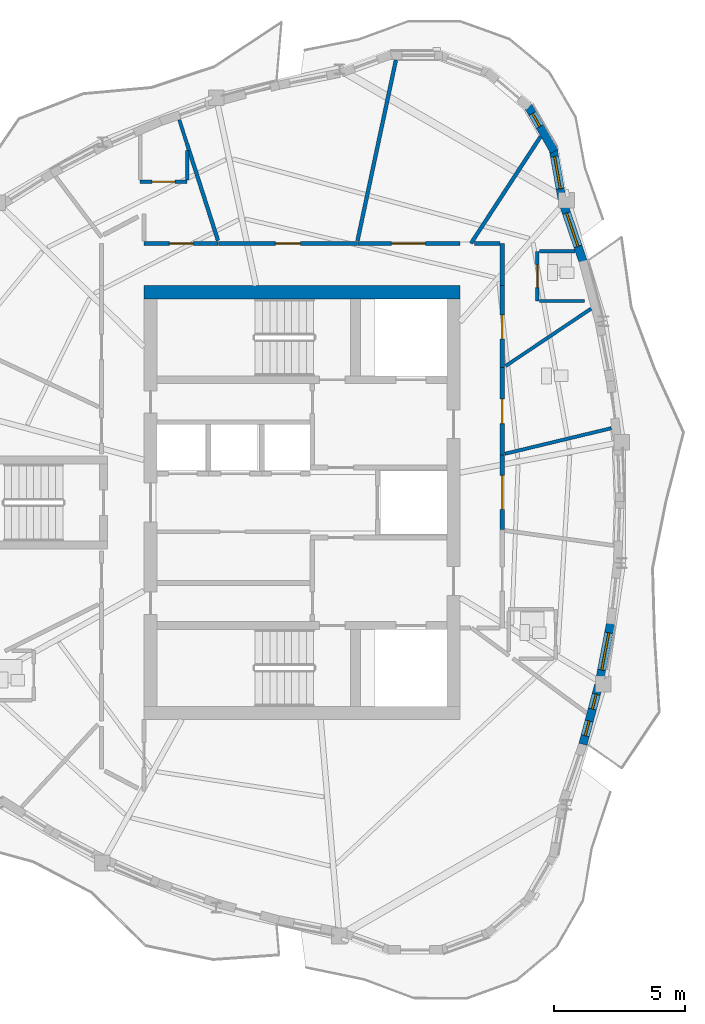
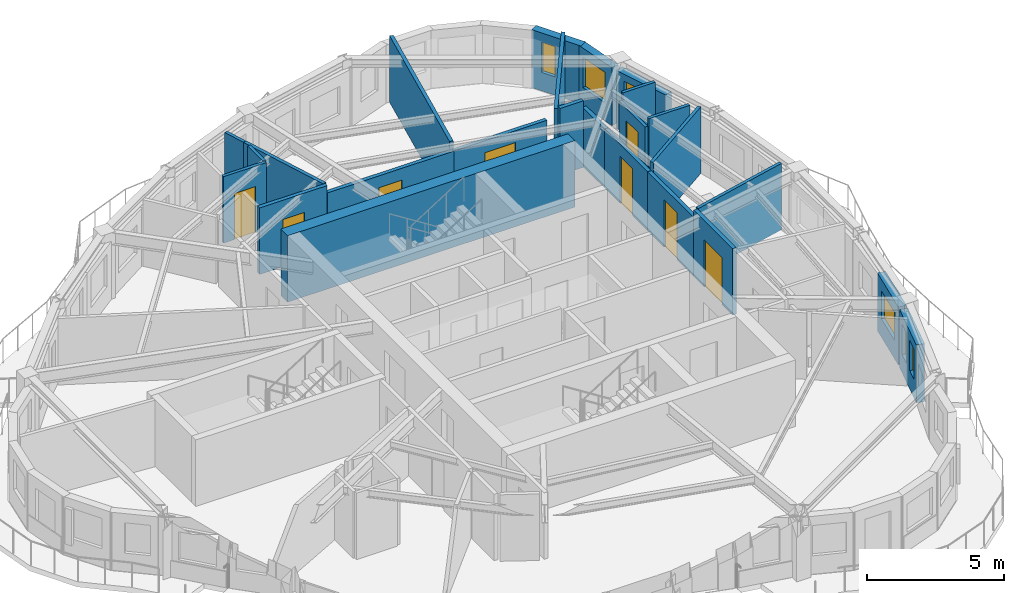
# One storey, part 8 of 13: 25 walls, 8 doors, 6 windows, 14 openings.
"""IFC4 building model written with IfcOpenShell, lengths in metres."""

from ifc_helpers import new_model, si_unit, direction, frame, frame_2d, origin, place, context, subcontext, project, spatial, rectangle, extrude, source, transform, mapped, material, layer, layer_set, type_object, element, fill, save


model = new_model("IFC4")

# Units and contexts
model_context = context("Model", 3, precision=1e-05, world=origin(), true_north=direction((0.0, 1.0)))
body_context = subcontext(model_context, "Body", "Model", "MODEL_VIEW")
ifc_project = project(units=[si_unit("LENGTHUNIT", "METRE"), si_unit("AREAUNIT", "SQUARE_METRE"), si_unit("VOLUMEUNIT", "CUBIC_METRE"), si_unit("PLANEANGLEUNIT", "RADIAN"), si_unit("MASSUNIT", "GRAM", prefix="KILO")], contexts=[model_context])

# Site, building, storey
site_placement = place(None, origin())
site = spatial("IfcSite", under=ifc_project, at=site_placement, CompositionType="ELEMENT")
building_placement = place(site_placement, origin())
building = spatial("IfcBuilding", under=site, at=building_placement, Name="Qafzar Sky-Pleat Residences", CompositionType="ELEMENT")
storey_placement = place(building_placement, frame((0.0, 0.0, 195.60009765625)))
storey = spatial("IfcBuildingStorey", under=building, at=storey_placement, Name="L58", CompositionType="ELEMENT", Elevation=195.60009765625)

# Wall, opening, door
ifc_material_1 = material(Name="Acoustic gypsum plasterboard partition", Category="gypsum")
ifc_layer_1 = layer(ifc_material_1, 0.159912109375)
ifc_layer_set_1 = layer_set([ifc_layer_1], Name="Acoustic gypsum plasterboard partition")
wall_type_1 = type_object("IfcWallType", Name="PART-COR-160", PredefinedType="PARTITIONING", material=ifc_layer_set_1)
wall_1_placement = place(storey_placement, frame((27.156005859375, 35.919921875, 0.0), z_axis=(0.0, 0.0, 1.0), x_axis=(1.0, 0.0, 0.0)))
wall_1 = element("IfcWall", 1, at=wall_1_placement, inside=storey, type_object=wall_type_1, Name="L58 Partition Wall PART-L58-PW-001", PredefinedType="PARTITIONING", context=body_context, shape_type="SweptSolid", body=[
    extrude(rectangle(XDim=5.31591796875, YDim=0.159912109375, at=frame_2d((2.657958984375, 0.0))), origin(), (0.0, 0.0, 1.0), 2.6279296875),
])
opening_1_placement = place(wall_1_placement, frame((2.177978515625, 0.0, 0.0)))
opening_1 = element("IfcOpeningElement", 2, at=opening_1_placement, cuts=wall_1, Name="Opening ID-06", PredefinedType="OPENING", context=body_context, shape_type="SweptSolid", body=[
    extrude(rectangle(XDim=0.9599609375, YDim=2.10009765625, at=frame_2d((0.47998046875, 1.050048828125))), frame((0.0, 0.08984375, 0.0), z_axis=(0.0, -1.0, 0.0), x_axis=(1.0, 0.0, 0.0)), (0.0, 0.0, 1.0), 0.179931640625),
])
ifc_material_2 = material(Name="Timber-faced fire door", Category="wood")
door_type_1 = type_object("IfcDoorType", Name="DR-STD-960", OperationType="NOTDEFINED", PredefinedType="DOOR", material=ifc_material_2)
shared_shape_1 = source(origin(), body_context, "Body", "SweptSolid", [
    extrude(rectangle(XDim=0.9599609375, YDim=2.10009765625, at=frame_2d((0.47998046875, 1.050048828125))), frame((0.0, 0.02490234375, 0.0), z_axis=(0.0, -1.0, 0.0), x_axis=(1.0, 0.0, 0.0)), (0.0, 0.0, 1.0), 0.050048828125),
])
door_1_placement = place(opening_1_placement, origin())
door_1 = element("IfcDoor", 3, at=door_1_placement, inside=storey, type_object=door_type_1, Name="L58 Music Practice Room Door", OperationType="SINGLE_SWING_RIGHT", OverallHeight=2.10009765625, OverallWidth=0.9599609375, PredefinedType="DOOR", context=body_context, shape_type="MappedRepresentation", body=[
    mapped(shared_shape_1, transform((0.0, 0.0, 0.0), x_axis=(1.0, 0.0, 0.0), y_axis=(0.0, 1.0, 0.0), z_axis=(0.0, 0.0, 1.0), scale=1.0)),
])
fill(opening_1, door_1)

wall_2_placement = place(storey_placement, frame((32.487060546875, 35.919921875, 0.0), z_axis=(0.0, 0.0, 1.0), x_axis=(1.0, 0.0, 0.0)))
wall_2 = element("IfcWall", 4, at=wall_2_placement, inside=storey, type_object=wall_type_1, Name="L58 Partition Wall PART-L58-PW-004", PredefinedType="PARTITIONING", context=body_context, shape_type="SweptSolid", body=[
    extrude(rectangle(XDim=3.912841796875, YDim=0.159912109375, at=frame_2d((1.95654296875, 0.0))), origin(), (0.0, 0.0, 1.0), 2.6279296875),
])
opening_2_placement = place(wall_2_placement, frame((1.291015625, 0.0, 0.0)))
opening_2 = element("IfcOpeningElement", 5, at=opening_2_placement, cuts=wall_2, Name="Opening ID-05", PredefinedType="OPENING", context=body_context, shape_type="SweptSolid", body=[
    extrude(rectangle(XDim=1.300048828125, YDim=2.10009765625, at=frame_2d((0.64990234375, 1.050048828125))), frame((0.0, 0.08984375, 0.0), z_axis=(0.0, -1.0, 0.0), x_axis=(1.0, 0.0, 0.0)), (0.0, 0.0, 1.0), 0.179931640625),
])
door_type_2 = type_object("IfcDoorType", Name="DR-LNG-1300", OperationType="DOUBLE_DOOR_SINGLE_SWING", PredefinedType="DOOR", material=ifc_material_2)
shared_shape_2 = source(origin(), body_context, "Body", "SweptSolid", [
    extrude(rectangle(XDim=1.300048828125, YDim=2.10009765625, at=frame_2d((0.64990234375, 1.050048828125))), frame((0.0, 0.02490234375, 0.0), z_axis=(0.0, -1.0, 0.0), x_axis=(1.0, 0.0, 0.0)), (0.0, 0.0, 1.0), 0.050048828125),
])
door_2_placement = place(opening_2_placement, origin())
door_2 = element("IfcDoor", 6, at=door_2_placement, inside=storey, type_object=door_type_2, Name="L58 Co-Living Lounge Door", OperationType="DOUBLE_DOOR_SINGLE_SWING", OverallHeight=2.10009765625, OverallWidth=1.300048828125, PredefinedType="DOOR", context=body_context, shape_type="MappedRepresentation", body=[
    mapped(shared_shape_2, transform((0.0, 0.0, 0.0), x_axis=(1.0, 0.0, 0.0), y_axis=(0.0, 1.0, 0.0), z_axis=(0.0, 0.0, 1.0), scale=1.0)),
])
fill(opening_2, door_2)

wall_3_placement = place(storey_placement, frame((38.02001953125, 31.160888671875, 0.0), z_axis=(0.0, 0.0, 1.0), x_axis=(0.0, -1.0, 0.0)))
wall_3 = element("IfcWall", 7, at=wall_3_placement, inside=storey, type_object=wall_type_1, Name="L58 Partition Wall PART-L58-PW-006", PredefinedType="PARTITIONING", context=body_context, shape_type="SweptSolid", body=[
    extrude(rectangle(XDim=3.3330078125, YDim=0.159912109375, at=frame_2d((1.66650390625, 0.0))), origin(), (0.0, 0.0, 1.0), 2.6279296875),
])
opening_3_placement = place(wall_3_placement, frame((1.193115234375, 0.0, 0.0)))
opening_3 = element("IfcOpeningElement", 8, at=opening_3_placement, cuts=wall_3, Name="Opening ID-08", PredefinedType="OPENING", context=body_context, shape_type="SweptSolid", body=[
    extrude(rectangle(XDim=0.949951171875, YDim=2.10009765625, at=frame_2d((0.47509765625, 1.050048828125))), frame((0.0, 0.08984375, 0.0), z_axis=(0.0, -1.0, 0.0), x_axis=(1.0, 0.0, 0.0)), (0.0, 0.0, 1.0), 0.179931640625),
])
door_type_3 = type_object("IfcDoorType", Name="DR-AWC-950", OperationType="NOTDEFINED", PredefinedType="DOOR", material=ifc_material_2)
shared_shape_3 = source(origin(), body_context, "Body", "SweptSolid", [
    extrude(rectangle(XDim=0.949951171875, YDim=2.10009765625, at=frame_2d((0.47509765625, 1.050048828125))), frame((0.0, 0.02490234375, 0.0), z_axis=(0.0, -1.0, 0.0), x_axis=(1.0, 0.0, 0.0)), (0.0, 0.0, 1.0), 0.050048828125),
])
door_3_placement = place(opening_3_placement, origin())
door_3 = element("IfcDoor", 9, at=door_3_placement, inside=storey, type_object=door_type_3, Name="L58 Accessible Shared Washroom Door", OperationType="SINGLE_SWING_RIGHT", OverallHeight=2.10009765625, OverallWidth=0.949951171875, PredefinedType="DOOR", context=body_context, shape_type="MappedRepresentation", body=[
    mapped(shared_shape_3, transform((0.0, 0.0, 0.0), x_axis=(1.0, 0.0, 0.0), y_axis=(0.0, 1.0, 0.0), z_axis=(0.0, 0.0, 1.0), scale=1.0)),
])
fill(opening_3, door_3)

wall_4_placement = place(storey_placement, frame((38.02001953125, 34.300048828125, 0.0), z_axis=(0.0, 0.0, 1.0), x_axis=(0.0, -1.0, 0.0)))
wall_4 = element("IfcWall", 10, at=wall_4_placement, inside=storey, type_object=wall_type_1, Name="L58 Partition Wall PART-L58-PW-007", PredefinedType="PARTITIONING", context=body_context, shape_type="SweptSolid", body=[
    extrude(rectangle(XDim=3.1240234375, YDim=0.159912109375, at=frame_2d((1.56201171875, 0.0))), origin(), (0.0, 0.0, 1.0), 2.6279296875),
])
opening_4_placement = place(wall_4_placement, frame((1.118408203125, 0.0, 0.0)))
opening_4 = element("IfcOpeningElement", 11, at=opening_4_placement, cuts=wall_4, Name="Opening ID-04", PredefinedType="OPENING", context=body_context, shape_type="SweptSolid", body=[
    extrude(rectangle(XDim=0.919921875, YDim=2.10009765625, at=frame_2d((0.4599609375, 1.050048828125))), frame((0.0, 0.08984375, 0.0), z_axis=(0.0, -1.0, 0.0), x_axis=(1.0, 0.0, 0.0)), (0.0, 0.0, 1.0), 0.179931640625),
])
door_type_4 = type_object("IfcDoorType", Name="DR-BED-920", OperationType="NOTDEFINED", PredefinedType="DOOR", material=ifc_material_2)
shared_shape_4 = source(origin(), body_context, "Body", "SweptSolid", [
    extrude(rectangle(XDim=0.919921875, YDim=2.10009765625, at=frame_2d((0.4599609375, 1.050048828125))), frame((0.0, 0.02490234375, 0.0), z_axis=(0.0, -1.0, 0.0), x_axis=(1.0, 0.0, 0.0)), (0.0, 0.0, 1.0), 0.050048828125),
])
door_4_placement = place(opening_4_placement, origin())
door_4 = element("IfcDoor", 12, at=door_4_placement, inside=storey, type_object=door_type_4, Name="L58 Co-Living Bedroom 3 Door", OperationType="SINGLE_SWING_LEFT", OverallHeight=2.10009765625, OverallWidth=0.919921875, PredefinedType="DOOR", context=body_context, shape_type="MappedRepresentation", body=[
    mapped(shared_shape_4, transform((0.0, 0.0, 0.0), x_axis=(1.0, 0.0, 0.0), y_axis=(0.0, 1.0, 0.0), z_axis=(0.0, 0.0, 1.0), scale=1.0)),
])
fill(opening_4, door_4)

wall_5_placement = place(storey_placement, frame((24.300048828125, 35.919921875, 0.0), z_axis=(0.0, 0.0, 1.0), x_axis=(1.0, 0.0, 0.0)))
wall_5 = element("IfcWall", 13, at=wall_5_placement, inside=storey, type_object=wall_type_1, Name="L58 Partition Wall PART-L58-PW-008", PredefinedType="PARTITIONING", context=body_context, shape_type="SweptSolid", body=[
    extrude(rectangle(XDim=2.841064453125, YDim=0.159912109375, at=frame_2d((1.42041015625, 0.0))), origin(), (0.0, 0.0, 1.0), 2.9599609375),
])
opening_5_placement = place(wall_5_placement, frame((0.97607421875, 0.0, 0.0)))
opening_5 = element("IfcOpeningElement", 14, at=opening_5_placement, cuts=wall_5, Name="Opening ID-04", PredefinedType="OPENING", context=body_context, shape_type="SweptSolid", body=[
    extrude(rectangle(XDim=0.919921875, YDim=2.10009765625, at=frame_2d((0.4599609375, 1.050048828125))), frame((0.0, 0.08984375, 0.0), z_axis=(0.0, -1.0, 0.0), x_axis=(1.0, 0.0, 0.0)), (0.0, 0.0, 1.0), 0.179931640625),
])
door_5_placement = place(opening_5_placement, origin())
door_5 = element("IfcDoor", 15, at=door_5_placement, inside=storey, type_object=door_type_4, Name="L58 Co-Living Bedroom 4 Door", OperationType="SINGLE_SWING_RIGHT", OverallHeight=2.10009765625, OverallWidth=0.919921875, PredefinedType="DOOR", context=body_context, shape_type="MappedRepresentation", body=[
    mapped(shared_shape_4, transform((0.0, 0.0, 0.0), x_axis=(1.0, 0.0, 0.0), y_axis=(0.0, 1.0, 0.0), z_axis=(0.0, 0.0, 1.0), scale=1.0)),
])
fill(opening_5, door_5)

wall_6_placement = place(storey_placement, frame((38.02001953125, 27.81298828125, 0.0), z_axis=(0.0, 0.0, 1.0), x_axis=(0.0, -1.0, 0.0)))
wall_6 = element("IfcWall", 16, at=wall_6_placement, inside=storey, type_object=wall_type_1, Name="L58 Partition Wall PART-L58-PW-009", PredefinedType="PARTITIONING", context=body_context, shape_type="SweptSolid", body=[
    extrude(rectangle(XDim=2.8388671875, YDim=0.159912109375, at=frame_2d((1.41943359375, 0.0))), origin(), (0.0, 0.0, 1.0), 2.9599609375),
])
opening_6_placement = place(wall_6_placement, frame((0.77001953125, 0.0, 0.0)))
opening_6 = element("IfcOpeningElement", 17, at=opening_6_placement, cuts=wall_6, Name="Opening ID-05", PredefinedType="OPENING", context=body_context, shape_type="SweptSolid", body=[
    extrude(rectangle(XDim=1.300048828125, YDim=2.10009765625, at=frame_2d((0.64990234375, 1.050048828125))), frame((0.0, 0.08984375, 0.0), z_axis=(0.0, -1.0, 0.0), x_axis=(1.0, 0.0, 0.0)), (0.0, 0.0, 1.0), 0.179931640625),
])
door_6_placement = place(opening_6_placement, origin())
door_6 = element("IfcDoor", 18, at=door_6_placement, inside=storey, type_object=door_type_2, Name="L58 Communal Kitchen Door", OperationType="DOUBLE_DOOR_SINGLE_SWING", OverallHeight=2.10009765625, OverallWidth=1.300048828125, PredefinedType="DOOR", context=body_context, shape_type="MappedRepresentation", body=[
    mapped(shared_shape_2, transform((0.0, 0.0, 0.0), x_axis=(1.0, 0.0, 0.0), y_axis=(0.0, 1.0, 0.0), z_axis=(0.0, 0.0, 1.0), scale=1.0)),
])
fill(opening_6, door_6)

# Walls
wall_7_placement = place(storey_placement, frame((38.02001953125, 34.31494140625, 0.0), z_axis=(0.0, 0.0, 1.0), x_axis=(0.0, 1.0, 0.0)))
element("IfcWall", 19, at=wall_7_placement, inside=storey, type_object=wall_type_1, Name="L58 Partition Wall PART-L58-PW-039", PredefinedType="PARTITIONING", context=body_context, shape_type="SweptSolid", body=[
    extrude(rectangle(XDim=1.60498046875, YDim=0.159912109375, at=frame_2d((0.802490234375, 0.0))), origin(), (0.0, 0.0, 1.0), 2.6279296875),
])
wall_8_placement = place(storey_placement, frame((36.94873046875, 35.919921875, 0.0), z_axis=(0.0, 0.0, 1.0), x_axis=(1.0, 0.0, 0.0)))
element("IfcWall", 20, at=wall_8_placement, inside=storey, type_object=wall_type_1, Name="L58 Partition Wall PART-L58-PW-045", PredefinedType="PARTITIONING", context=body_context, shape_type="SweptSolid", body=[
    extrude(rectangle(XDim=0.983154296875, YDim=0.159912109375, at=frame_2d((0.49169921875, 0.0))), origin(), (0.0, 0.0, 1.0), 2.9599609375),
])
ifc_layer_2 = layer(ifc_material_1, 0.14501953125)
ifc_layer_set_2 = layer_set([ifc_layer_2], Name="Acoustic gypsum plasterboard partition")
wall_type_2 = type_object("IfcWallType", Name="PART-UNIT-145", PredefinedType="PARTITIONING", material=ifc_layer_set_2)
wall_9_placement = place(storey_placement, frame((32.477783203125, 36.02294921875, 0.0), z_axis=(0.0, 0.0, 1.0), x_axis=(0.207795571792, 0.978172275391, 0.0)))
element("IfcWall", 21, at=wall_9_placement, inside=storey, type_object=wall_type_2, Name="L58 Partition Wall PART-L58-PW-018", PredefinedType="PARTITIONING", context=body_context, shape_type="SweptSolid", body=[
    extrude(rectangle(XDim=7.070556640625, YDim=0.14501953125, at=frame_2d((3.53515625, 0.0))), origin(), (0.0, 0.0, 1.0), 2.9599609375),
])
wall_10_placement = place(storey_placement, frame((36.820068359375, 35.919921875, 0.0), z_axis=(0.0, 0.0, 1.0), x_axis=(0.546222005159, 0.83764044857, 0.0)))
element("IfcWall", 22, at=wall_10_placement, inside=storey, type_object=wall_type_2, Name="L58 Partition Wall PART-L58-PW-020", PredefinedType="PARTITIONING", context=body_context, shape_type="SweptSolid", body=[
    extrude(rectangle(XDim=4.880859375, YDim=0.14501953125, at=frame_2d((2.4404296875, 0.0))), origin(), (0.0, 0.0, 1.0), 2.9599609375),
])
wall_11_placement = place(storey_placement, frame((25.93896484375, 39.76708984375, 0.0), z_axis=(0.0, 0.0, 1.0), x_axis=(0.305195538028, -0.952289705693, 0.0)))
element("IfcWall", 23, at=wall_11_placement, inside=storey, type_object=wall_type_2, Name="L58 Partition Wall PART-L58-PW-026", PredefinedType="PARTITIONING", context=body_context, shape_type="SweptSolid", body=[
    extrude(rectangle(XDim=3.924560546875, YDim=0.14501953125, at=frame_2d((1.96240234375, 0.0))), origin(), (0.0, 0.0, 1.0), 2.9599609375),
])

# Wall, opening, door
ifc_material_3 = material(Name="Moisture-resistant gypsum partition", Category="gypsum")
ifc_layer_3 = layer(ifc_material_3, 0.1298828125)
ifc_layer_set_3 = layer_set([ifc_layer_3], Name="Moisture-resistant gypsum partition")
wall_type_3 = type_object("IfcWallType", Name="PART-WET-130", PredefinedType="PARTITIONING", material=ifc_layer_set_3)
wall_12_placement = place(storey_placement, frame((39.364013671875, 35.616943359375, 0.0), z_axis=(0.0, 0.0, 1.0), x_axis=(0.0, -1.0, 0.0)))
wall_12 = element("IfcWall", 24, at=wall_12_placement, inside=storey, type_object=wall_type_3, Name="L58 Partition Wall PART-L58-PW-014", PredefinedType="PARTITIONING", context=body_context, shape_type="SweptSolid", body=[
    extrude(rectangle(XDim=1.89990234375, YDim=0.1298828125, at=frame_2d((0.949951171875, 0.0))), origin(), (0.0, 0.0, 1.0), 2.597900390625),
])
opening_7_placement = place(wall_12_placement, frame((0.510009765625, 0.0, 0.0)))
opening_7 = element("IfcOpeningElement", 25, at=opening_7_placement, cuts=wall_12, Name="Opening ID-07", PredefinedType="OPENING", context=body_context, shape_type="SweptSolid", body=[
    extrude(rectangle(XDim=0.8798828125, YDim=2.050048828125, at=frame_2d((0.43994140625, 1.02490234375))), frame((0.0, 0.074951171875, 0.0), z_axis=(0.0, -1.0, 0.0), x_axis=(1.0, 0.0, 0.0)), (0.0, 0.0, 1.0), 0.14990234375),
])
door_type_5 = type_object("IfcDoorType", Name="DR-WET-880", OperationType="NOTDEFINED", PredefinedType="DOOR", material=ifc_material_2)
shared_shape_5 = source(origin(), body_context, "Body", "SweptSolid", [
    extrude(rectangle(XDim=0.8798828125, YDim=2.050048828125, at=frame_2d((0.43994140625, 1.02490234375))), frame((0.0, 0.02490234375, 0.0), z_axis=(0.0, -1.0, 0.0), x_axis=(1.0, 0.0, 0.0)), (0.0, 0.0, 1.0), 0.050048828125),
])
door_7_placement = place(opening_7_placement, origin())
door_7 = element("IfcDoor", 26, at=door_7_placement, inside=storey, type_object=door_type_5, Name="L58 En-suite Bathroom 3 Door", OperationType="SINGLE_SWING_LEFT", OverallHeight=2.050048828125, OverallWidth=0.8798828125, PredefinedType="DOOR", context=body_context, shape_type="MappedRepresentation", body=[
    mapped(shared_shape_5, transform((0.0, 0.0, 0.0), x_axis=(1.0, 0.0, 0.0), y_axis=(0.0, 1.0, 0.0), z_axis=(0.0, 0.0, 1.0), scale=1.0)),
])
fill(opening_7, door_7)

wall_13_placement = place(storey_placement, frame((24.154052734375, 38.281982421875, 0.0), z_axis=(0.0, 0.0, 1.0), x_axis=(1.0, 0.0, 0.0)))
wall_13 = element("IfcWall", 27, at=wall_13_placement, inside=storey, type_object=wall_type_3, Name="L58 Partition Wall PART-L58-PW-016", PredefinedType="PARTITIONING", context=body_context, shape_type="SweptSolid", body=[
    extrude(rectangle(XDim=1.800048828125, YDim=0.1298828125, at=frame_2d((0.89990234375, 0.0))), origin(), (0.0, 0.0, 1.0), 2.9599609375),
])
opening_8_placement = place(wall_13_placement, frame((0.4599609375, 0.0, 0.0)))
opening_8 = element("IfcOpeningElement", 28, at=opening_8_placement, cuts=wall_13, Name="Opening ID-07", PredefinedType="OPENING", context=body_context, shape_type="SweptSolid", body=[
    extrude(rectangle(XDim=0.8798828125, YDim=2.050048828125, at=frame_2d((0.43994140625, 1.02490234375))), frame((0.0, 0.074951171875, 0.0), z_axis=(0.0, -1.0, 0.0), x_axis=(1.0, 0.0, 0.0)), (0.0, 0.0, 1.0), 0.14990234375),
])
door_8_placement = place(opening_8_placement, origin())
door_8 = element("IfcDoor", 29, at=door_8_placement, inside=storey, type_object=door_type_5, Name="L58 En-suite Bathroom 4 Door", OperationType="SINGLE_SWING_LEFT", OverallHeight=2.050048828125, OverallWidth=0.8798828125, PredefinedType="DOOR", context=body_context, shape_type="MappedRepresentation", body=[
    mapped(shared_shape_5, transform((0.0, 0.0, 0.0), x_axis=(1.0, 0.0, 0.0), y_axis=(0.0, 1.0, 0.0), z_axis=(0.0, 0.0, 1.0), scale=1.0)),
])
fill(opening_8, door_8)

# Walls
wall_14_placement = place(storey_placement, frame((38.123046875, 27.867919921875, 0.0), z_axis=(0.0, 0.0, 1.0), x_axis=(0.972302502293, 0.233726002051, 0.0)))
element("IfcWall", 30, at=wall_14_placement, inside=storey, type_object=wall_type_3, Name="L58 Partition Wall PART-L58-PW-023", PredefinedType="PARTITIONING", context=body_context, shape_type="SweptSolid", body=[
    extrude(rectangle(XDim=4.1845703125, YDim=0.1298828125, at=frame_2d((2.09228515625, 0.0))), origin(), (0.0, 0.0, 1.0), 2.9599609375),
])
wall_15_placement = place(storey_placement, frame((38.142822265625, 31.225341796875, 0.0), z_axis=(0.0, 0.0, 1.0), x_axis=(0.830560844451, 0.556927898084, 0.0)))
element("IfcWall", 31, at=wall_15_placement, inside=storey, type_object=wall_type_3, Name="L58 Partition Wall PART-L58-PW-025", PredefinedType="PARTITIONING", context=body_context, shape_type="SweptSolid", body=[
    extrude(rectangle(XDim=3.94189453125, YDim=0.1298828125, at=frame_2d((1.970947265625, 0.0))), origin(), (0.0, 0.0, 1.0), 2.9599609375),
])
wall_16_placement = place(storey_placement, frame((39.43701171875, 33.717041015625, 0.0), z_axis=(0.0, 0.0, 1.0), x_axis=(1.0, 0.0, 0.0)))
element("IfcWall", 32, at=wall_16_placement, inside=storey, type_object=wall_type_3, Name="L58 Partition Wall PART-L58-PW-033", PredefinedType="PARTITIONING", context=body_context, shape_type="SweptSolid", body=[
    extrude(rectangle(XDim=1.72705078125, YDim=0.1298828125, at=frame_2d((0.863525390625, 0.0))), origin(), (0.0, 0.0, 1.0), 2.9599609375),
])
wall_17_placement = place(storey_placement, frame((39.43701171875, 35.616943359375, 0.0), z_axis=(0.0, 0.0, 1.0), x_axis=(1.0, 0.0, 0.0)))
element("IfcWall", 33, at=wall_17_placement, inside=storey, type_object=wall_type_3, Name="L58 Partition Wall PART-L58-PW-043", PredefinedType="PARTITIONING", context=body_context, shape_type="SweptSolid", body=[
    extrude(rectangle(XDim=1.36083984375, YDim=0.1298828125, at=frame_2d((0.680419921875, 0.0))), origin(), (0.0, 0.0, 1.0), 2.9599609375),
])
wall_18_placement = place(storey_placement, frame((25.9541015625, 38.35498046875, 0.0), z_axis=(0.0, 0.0, 1.0), x_axis=(0.0, 1.0, 0.0)))
element("IfcWall", 34, at=wall_18_placement, inside=storey, type_object=wall_type_3, Name="L58 Partition Wall PART-L58-PW-044", PredefinedType="PARTITIONING", context=body_context, shape_type="SweptSolid", body=[
    extrude(rectangle(XDim=1.125, YDim=0.1298828125, at=frame_2d((0.5625, 0.0))), origin(), (0.0, 0.0, 1.0), 2.9599609375),
])
wall_19_placement = place(storey_placement, frame((25.655029296875, 40.65234375, 0.0), z_axis=(0.0, 0.0, 1.0), x_axis=(0.305317972149, -0.952250458589, 0.0)))
element("IfcWall", 35, at=wall_19_placement, inside=storey, type_object=wall_type_3, Name="L58 Partition Wall PART-L58-PW-050", PredefinedType="PARTITIONING", context=body_context, shape_type="SweptSolid", body=[
    extrude(rectangle(XDim=0.914794921875, YDim=0.1298828125, at=frame_2d((0.45751953125, 0.0))), origin(), (0.0, 0.0, 1.0), 2.9599609375),
])

# Wall, openings, windows
ifc_material_4 = material(Name="Precast concrete C40/50 with honed Riyadh limestone", Category="concrete")
ifc_layer_4 = layer(ifc_material_4, 0.320068359375)
ifc_layer_set_4 = layer_set([ifc_layer_4], Name="Precast concrete C40/50 with honed Riyadh limestone")
wall_type_4 = type_object("IfcWallType", Name="WALL-EXT-320", PredefinedType="SOLIDWALL", material=ifc_layer_set_4)
wall_20_placement = place(storey_placement, frame((41.10693359375, 16.748291015625, 0.0), z_axis=(0.0, 0.0, 1.0), x_axis=(0.257000958827, 0.966411148095, 0.0)))
wall_20 = element("IfcWall", 36, at=wall_20_placement, inside=storey, type_object=wall_type_4, Name="L58 Limestone Facade Wall 24", PredefinedType="SOLIDWALL", context=body_context, shape_type="SweptSolid", body=[
    extrude(rectangle(XDim=2.342529296875, YDim=0.320068359375, at=frame_2d((1.17138671875, 0.0))), origin(), (0.0, 0.0, 1.0), 2.579833984375),
])
opening_9_placement = place(wall_20_placement, frame((0.343017578125, 0.0, 0.820068359375)))
opening_9 = element("IfcOpeningElement", 37, at=opening_9_placement, cuts=wall_20, Name="Opening WN-17", PredefinedType="OPENING", context=body_context, shape_type="SweptSolid", body=[
    extrude(rectangle(XDim=0.580078125, YDim=1.35009765625, at=frame_2d((0.2900390625, 0.675048828125))), frame((0.0, 0.169921875, 0.0), z_axis=(0.0, -1.0, 0.0), x_axis=(1.0, 0.0, 0.0)), (0.0, 0.0, 1.0), 0.340087890625),
])
opening_10_placement = place(wall_20_placement, frame((1.3994140625, 0.0, 0.820068359375)))
opening_10 = element("IfcOpeningElement", 38, at=opening_10_placement, cuts=wall_20, Name="Opening WN-17", PredefinedType="OPENING", context=body_context, shape_type="SweptSolid", body=[
    extrude(rectangle(XDim=0.580078125, YDim=1.35009765625, at=frame_2d((0.2900390625, 0.675048828125))), frame((0.0, 0.169921875, 0.0), z_axis=(0.0, -1.0, 0.0), x_axis=(1.0, 0.0, 0.0)), (0.0, 0.0, 1.0), 0.340087890625),
])
ifc_material_5 = material(Name="Solar-control low-E glass in bronze aluminium frame", Category="glass")
window_type_1 = type_object("IfcWindowType", Name="WIN-17", PartitioningType="SINGLE_PANEL", PredefinedType="WINDOW", material=ifc_material_5)
shared_shape_6 = source(origin(), body_context, "Body", "SweptSolid", [
    extrude(rectangle(XDim=0.580078125, YDim=1.35009765625, at=frame_2d((0.2900390625, 0.675048828125))), frame((0.0, 0.030029296875, 0.0), z_axis=(0.0, -1.0, 0.0), x_axis=(1.0, 0.0, 0.0)), (0.0, 0.0, 1.0), 0.06005859375),
])
window_1_placement = place(opening_9_placement, origin())
window_1 = element("IfcWindow", 39, at=window_1_placement, inside=storey, type_object=window_type_1, Name="L58 Punched Facade Window 24", OverallHeight=1.35009765625, OverallWidth=0.580078125, PartitioningType="SINGLE_PANEL", PredefinedType="WINDOW", context=body_context, shape_type="MappedRepresentation", body=[
    mapped(shared_shape_6, transform((0.0, 0.0, 0.0), x_axis=(1.0, 0.0, 0.0), y_axis=(0.0, 1.0, 0.0), z_axis=(0.0, 0.0, 1.0), scale=1.0)),
])
fill(opening_9, window_1)
window_2_placement = place(opening_10_placement, origin())
window_2 = element("IfcWindow", 40, at=window_2_placement, inside=storey, type_object=window_type_1, Name="L58 Punched Facade Window 24-2", OverallHeight=1.35009765625, OverallWidth=0.580078125, PartitioningType="SINGLE_PANEL", PredefinedType="WINDOW", context=body_context, shape_type="MappedRepresentation", body=[
    mapped(shared_shape_6, transform((0.0, 0.0, 0.0), x_axis=(1.0, 0.0, 0.0), y_axis=(0.0, 1.0, 0.0), z_axis=(0.0, 0.0, 1.0), scale=1.0)),
])
fill(opening_10, window_2)

# Wall, opening, window
wall_21_placement = place(storey_placement, frame((41.74658203125, 19.17626953125, 0.0), z_axis=(0.0, 0.0, 1.0), x_axis=(0.186649393072, 0.982426589657, 0.0)))
wall_21 = element("IfcWall", 41, at=wall_21_placement, inside=storey, type_object=wall_type_4, Name="L58 Limestone Facade Wall 25", PredefinedType="SOLIDWALL", context=body_context, shape_type="SweptSolid", body=[
    extrude(rectangle(XDim=2.303466796875, YDim=0.320068359375, at=frame_2d((1.15185546875, 0.0))), origin(), (0.0, 0.0, 1.0), 2.579833984375),
])
opening_11_placement = place(wall_21_placement, frame((0.421875, 0.0, 0.820068359375)))
opening_11 = element("IfcOpeningElement", 42, at=opening_11_placement, cuts=wall_21, Name="Opening WN-15", PredefinedType="OPENING", context=body_context, shape_type="SweptSolid", body=[
    extrude(rectangle(XDim=1.449951171875, YDim=1.25, at=frame_2d((0.72509765625, 0.625))), frame((0.0, 0.169921875, 0.0), z_axis=(0.0, -1.0, 0.0), x_axis=(1.0, 0.0, 0.0)), (0.0, 0.0, 1.0), 0.340087890625),
])
window_type_2 = type_object("IfcWindowType", Name="WIN-15", PartitioningType="SINGLE_PANEL", PredefinedType="WINDOW", material=ifc_material_5)
shared_shape_7 = source(origin(), body_context, "Body", "SweptSolid", [
    extrude(rectangle(XDim=1.449951171875, YDim=1.25, at=frame_2d((0.72509765625, 0.625))), frame((0.0, 0.030029296875, 0.0), z_axis=(0.0, -1.0, 0.0), x_axis=(1.0, 0.0, 0.0)), (0.0, 0.0, 1.0), 0.06005859375),
])
window_3_placement = place(opening_11_placement, origin())
window_3 = element("IfcWindow", 43, at=window_3_placement, inside=storey, type_object=window_type_2, Name="L58 Punched Facade Window 25", OverallHeight=1.25, OverallWidth=1.449951171875, PartitioningType="SINGLE_PANEL", PredefinedType="WINDOW", context=body_context, shape_type="MappedRepresentation", body=[
    mapped(shared_shape_7, transform((0.0, 0.0, 0.0), x_axis=(1.0, 0.0, 0.0), y_axis=(0.0, 1.0, 0.0), z_axis=(0.0, 0.0, 1.0), scale=1.0)),
])
fill(opening_11, window_3)

wall_22_placement = place(storey_placement, frame((41.13232421875, 35.16845703125, 0.0), z_axis=(0.0, 0.0, 1.0), x_axis=(-0.323654036362, 0.94617549363, 0.0)))
wall_22 = element("IfcWall", 44, at=wall_22_placement, inside=storey, type_object=wall_type_4, Name="L58 Limestone Facade Wall 32", PredefinedType="SOLIDWALL", context=body_context, shape_type="SweptSolid", body=[
    extrude(rectangle(XDim=2.3935546875, YDim=0.320068359375, at=frame_2d((1.19677734375, 0.0))), origin(), (0.0, 0.0, 1.0), 2.579833984375),
])
opening_12_placement = place(wall_22_placement, frame((0.669677734375, 0.0, 0.820068359375)))
opening_12 = element("IfcOpeningElement", 45, at=opening_12_placement, cuts=wall_22, Name="Opening WN-04", PredefinedType="OPENING", context=body_context, shape_type="SweptSolid", body=[
    extrude(rectangle(XDim=1.35009765625, YDim=1.449951171875, at=frame_2d((0.675048828125, 0.72509765625))), frame((0.0, 0.169921875, 0.0), z_axis=(0.0, -1.0, 0.0), x_axis=(1.0, 0.0, 0.0)), (0.0, 0.0, 1.0), 0.340087890625),
])
window_type_3 = type_object("IfcWindowType", Name="WIN-04", PartitioningType="SINGLE_PANEL", PredefinedType="WINDOW", material=ifc_material_5)
shared_shape_8 = source(origin(), body_context, "Body", "SweptSolid", [
    extrude(rectangle(XDim=1.35009765625, YDim=1.449951171875, at=frame_2d((0.675048828125, 0.72509765625))), frame((0.0, 0.030029296875, 0.0), z_axis=(0.0, -1.0, 0.0), x_axis=(1.0, 0.0, 0.0)), (0.0, 0.0, 1.0), 0.06005859375),
])
window_4_placement = place(opening_12_placement, origin())
window_4 = element("IfcWindow", 46, at=window_4_placement, inside=storey, type_object=window_type_3, Name="L58 Punched Facade Window 32-2", OverallHeight=1.449951171875, OverallWidth=1.35009765625, PartitioningType="SINGLE_PANEL", PredefinedType="WINDOW", context=body_context, shape_type="MappedRepresentation", body=[
    mapped(shared_shape_8, transform((0.0, 0.0, 0.0), x_axis=(1.0, 0.0, 0.0), y_axis=(0.0, 1.0, 0.0), z_axis=(0.0, 0.0, 1.0), scale=1.0)),
])
fill(opening_12, window_4)

wall_23_placement = place(storey_placement, frame((40.306884765625, 37.630859375, 0.0), z_axis=(0.0, 0.0, 1.0), x_axis=(-0.173671780312, 0.984803590937, 0.0)))
wall_23 = element("IfcWall", 47, at=wall_23_placement, inside=storey, type_object=wall_type_4, Name="L58 Limestone Facade Wall 33", PredefinedType="SOLIDWALL", context=body_context, shape_type="SweptSolid", body=[
    extrude(rectangle(XDim=1.96240234375, YDim=0.320068359375, at=frame_2d((0.981201171875, 0.0))), origin(), (0.0, 0.0, 1.0), 2.579833984375),
])
opening_13_placement = place(wall_23_placement, frame((0.39111328125, 0.0, 0.820068359375)))
opening_13 = element("IfcOpeningElement", 48, at=opening_13_placement, cuts=wall_23, Name="Opening WN-11", PredefinedType="OPENING", context=body_context, shape_type="SweptSolid", body=[
    extrude(rectangle(XDim=1.25, YDim=1.35009765625, at=frame_2d((0.625, 0.675048828125))), frame((0.0, 0.169921875, 0.0), z_axis=(0.0, -1.0, 0.0), x_axis=(1.0, 0.0, 0.0)), (0.0, 0.0, 1.0), 0.340087890625),
])
window_type_4 = type_object("IfcWindowType", Name="WIN-11", PartitioningType="SINGLE_PANEL", PredefinedType="WINDOW", material=ifc_material_5)
shared_shape_9 = source(origin(), body_context, "Body", "SweptSolid", [
    extrude(rectangle(XDim=1.25, YDim=1.35009765625, at=frame_2d((0.625, 0.675048828125))), frame((0.0, 0.030029296875, 0.0), z_axis=(0.0, -1.0, 0.0), x_axis=(1.0, 0.0, 0.0)), (0.0, 0.0, 1.0), 0.06005859375),
])
window_5_placement = place(opening_13_placement, origin())
window_5 = element("IfcWindow", 49, at=window_5_placement, inside=storey, type_object=window_type_4, Name="L58 Punched Facade Window 33", OverallHeight=1.35009765625, OverallWidth=1.25, PartitioningType="SINGLE_PANEL", PredefinedType="WINDOW", context=body_context, shape_type="MappedRepresentation", body=[
    mapped(shared_shape_9, transform((0.0, 0.0, 0.0), x_axis=(1.0, 0.0, 0.0), y_axis=(0.0, 1.0, 0.0), z_axis=(0.0, 0.0, 1.0), scale=1.0)),
])
fill(opening_13, window_5)

wall_24_placement = place(storey_placement, frame((40.010498046875, 39.44091796875, 0.0), z_axis=(0.0, 0.0, 1.0), x_axis=(-0.49990781971, 0.866078617559, 0.0)))
wall_24 = element("IfcWall", 50, at=wall_24_placement, inside=storey, type_object=wall_type_4, Name="L58 Limestone Facade Wall 34", PredefinedType="SOLIDWALL", context=body_context, shape_type="SweptSolid", body=[
    extrude(rectangle(XDim=2.09033203125, YDim=0.320068359375, at=frame_2d((1.045166015625, 0.0))), origin(), (0.0, 0.0, 1.0), 2.579833984375),
])
opening_14_placement = place(wall_24_placement, frame((1.097412109375, 0.0, 0.820068359375)))
opening_14 = element("IfcOpeningElement", 51, at=opening_14_placement, cuts=wall_24, Name="Opening WN-17", PredefinedType="OPENING", context=body_context, shape_type="SweptSolid", body=[
    extrude(rectangle(XDim=0.580078125, YDim=1.35009765625, at=frame_2d((0.2900390625, 0.675048828125))), frame((0.0, 0.169921875, 0.0), z_axis=(0.0, -1.0, 0.0), x_axis=(1.0, 0.0, 0.0)), (0.0, 0.0, 1.0), 0.340087890625),
])
window_6_placement = place(opening_14_placement, origin())
window_6 = element("IfcWindow", 52, at=window_6_placement, inside=storey, type_object=window_type_1, Name="L58 Punched Facade Window 34-2", OverallHeight=1.35009765625, OverallWidth=0.580078125, PartitioningType="SINGLE_PANEL", PredefinedType="WINDOW", context=body_context, shape_type="MappedRepresentation", body=[
    mapped(shared_shape_6, transform((0.0, 0.0, 0.0), x_axis=(1.0, 0.0, 0.0), y_axis=(0.0, 1.0, 0.0), z_axis=(0.0, 0.0, 1.0), scale=1.0)),
])
fill(opening_14, window_6)

# Wall
ifc_material_6 = material(Name="Concrete C60/75", Category="concrete")
ifc_layer_5 = layer(ifc_material_6, 0.5)
ifc_layer_set_5 = layer_set([ifc_layer_5], Name="Concrete C60/75")
wall_type_5 = type_object("IfcWallType", Name="WALL-SHEAR-500", PredefinedType="SHEAR", material=ifc_layer_set_5)
wall_25_placement = place(storey_placement, frame((36.39990234375, 34.050048828125, 0.0), z_axis=(0.0, 0.0, 1.0), x_axis=(-1.0, 0.0, 0.0)))
element("IfcWall", 53, at=wall_25_placement, inside=storey, type_object=wall_type_5, Name="L58 CORE wall N", PredefinedType="SHEAR", context=body_context, shape_type="SweptSolid", body=[
    extrude(rectangle(XDim=12.099853515625, YDim=0.5, at=frame_2d((6.0498046875, 0.0))), origin(), (0.0, 0.0, 1.0), 2.9599609375),
])

save(model, "model.ifc")
